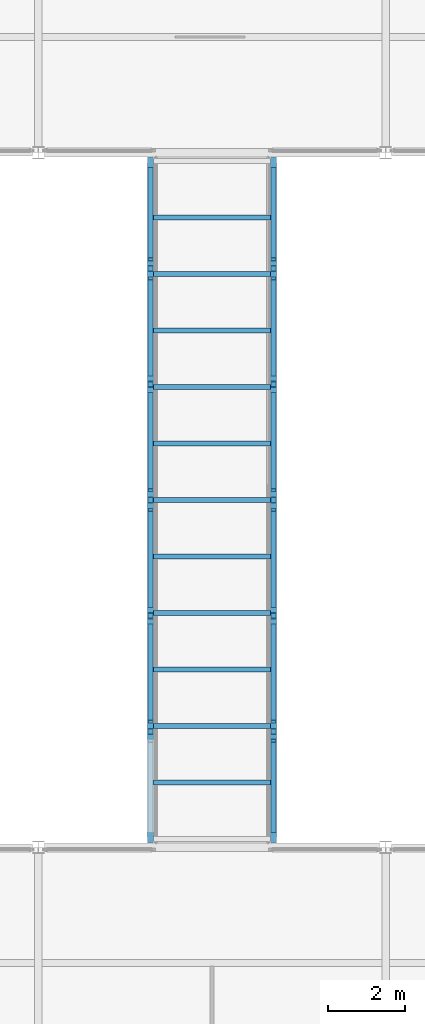
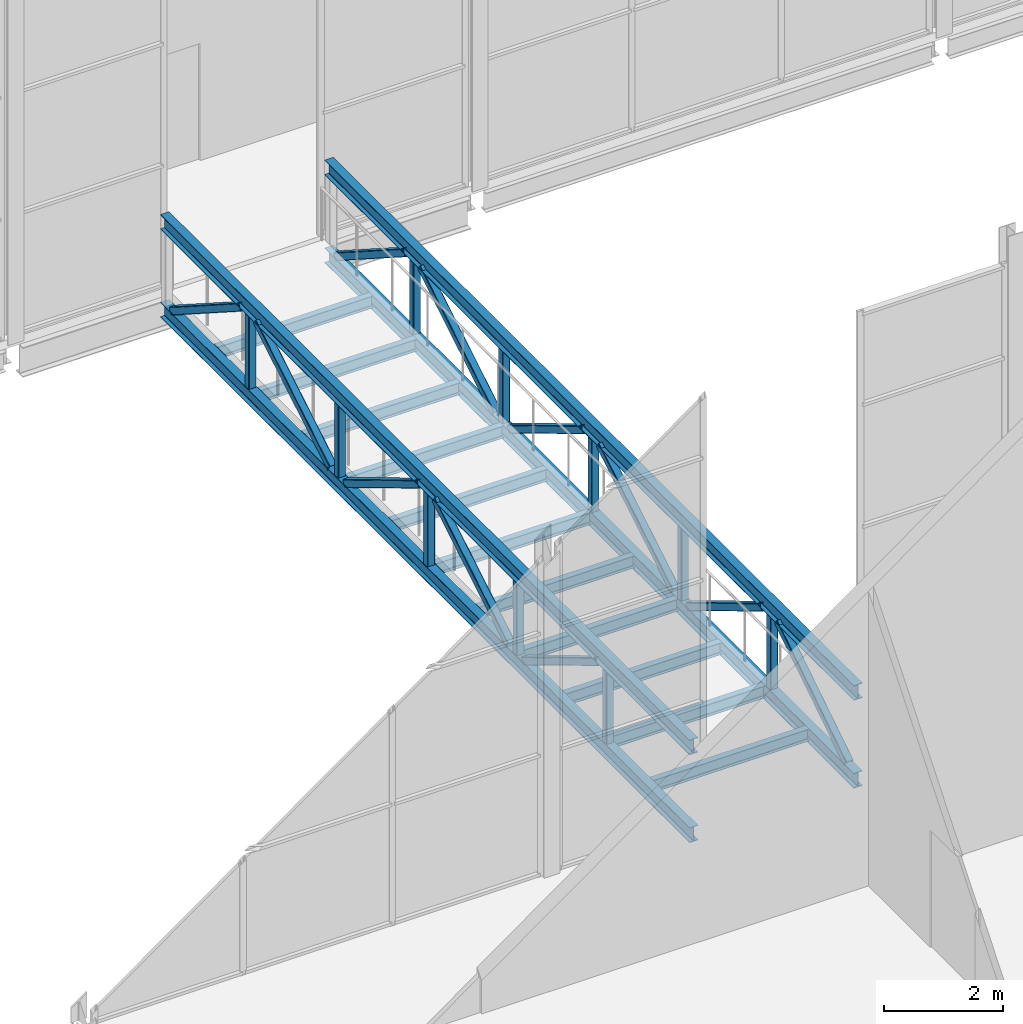
# One storey, part 37 of 111: 21 members, 15 beams.
"""IFC4 building model written with IfcOpenShell, lengths in metres."""

from ifc_helpers import new_model, si_unit, direction, frame, origin, origin_2d, place, context, subcontext, project, spatial, hollow_rectangle, i_section, extrude, material, material_profile, profile_set, type_object, element, save


model = new_model("IFC4")

# Units and contexts
model_context = context("Model", 3, precision=1e-05, world=origin(), true_north=direction((0.0, 1.0)))
body_context = subcontext(model_context, "Body", "Model", "MODEL_VIEW")
ifc_project = project(units=[si_unit("LENGTHUNIT", "METRE"), si_unit("AREAUNIT", "SQUARE_METRE"), si_unit("VOLUMEUNIT", "CUBIC_METRE"), si_unit("PLANEANGLEUNIT", "RADIAN"), si_unit("MASSUNIT", "GRAM", prefix="KILO")], contexts=[model_context])

# Site, building, storey
site_placement = place(None, origin())
site = spatial("IfcSite", under=ifc_project, at=site_placement, CompositionType="ELEMENT")
building_placement = place(site_placement, origin())
building = spatial("IfcBuilding", under=site, at=building_placement, Name="Shorebreak Coast Museum", CompositionType="ELEMENT")
storey_placement = place(building_placement, frame((0.0, 0.0, 16.0)))
storey = spatial("IfcBuildingStorey", under=building, at=storey_placement, Name="L03", CompositionType="ELEMENT", Elevation=16.0)

# Beams
ifc_material_1 = material(Name="Steel Grade 300", Category="steel")
ifc_material_profile_1 = material_profile(ifc_material_1, i_section(OverallWidth=0.1240234375, OverallDepth=0.248046875, WebThickness=0.0048828125, FlangeThickness=0.008056640625, FilletRadius=0.011962890625, at=origin_2d()), Name="250UB25.7")
ifc_profile_set_1 = profile_set([ifc_material_profile_1], Name="Steel Grade 300")
beam_type_1 = type_object("IfcBeamType", Name="Atrium bridge cross beam 250UB25.7", PredefinedType="BEAM", material=ifc_profile_set_1)
for number, where, z_axis, x_axis, name in (
    (1, (87.010009765625, 64.6787109375, -0.299072265625), (-1.0, 0.0, 0.0), (0.0, -1.0, 0.0), "Atrium bridge cross beam BR2 02"),
    (2, (87.010009765625, 66.14306640625, -0.299072265625), (-1.0, 0.0, 0.0), (0.0, -1.0, 0.0), "Atrium bridge cross beam BR2 03"),
    (3, (87.010009765625, 67.607177734375, -0.299072265625), (-1.0, 0.0, 0.0), (0.0, -1.0, 0.0), "Atrium bridge cross beam BR2 04"),
    (4, (87.010009765625, 69.071533203125, -0.299072265625), (-1.0, 0.0, 0.0), (0.0, -1.0, 0.0), "Atrium bridge cross beam BR2 05"),
    (5, (87.010009765625, 70.53564453125, -0.299072265625), (-1.0, 0.0, 0.0), (0.0, -1.0, 0.0), "Atrium bridge cross beam BR2 06"),
    (6, (87.010009765625, 72.0, -0.299072265625), (-1.0, 0.0, 0.0), (0.0, -1.0, 0.0), "Atrium bridge cross beam BR2 07"),
    (7, (87.010009765625, 73.46435546875, -0.299072265625), (-1.0, 0.0, 0.0), (0.0, -1.0, 0.0), "Atrium bridge cross beam BR2 08"),
    (8, (87.010009765625, 74.928466796875, -0.299072265625), (-1.0, 0.0, 0.0), (0.0, -1.0, 0.0), "Atrium bridge cross beam BR2 09"),
    (9, (87.010009765625, 76.392822265625, -0.299072265625), (-1.0, 0.0, 0.0), (0.0, -1.0, 0.0), "Atrium bridge cross beam BR2 10"),
    (10, (87.010009765625, 77.85693359375, -0.299072265625), (-1.0, 0.0, 0.0), (0.0, -1.0, 0.0), "Atrium bridge cross beam BR2 11"),
    (11, (87.010009765625, 79.3212890625, -0.299072265625), (-1.0, 0.0, 0.0), (0.0, -1.0, 0.0), "Atrium bridge cross beam BR2 12"),
):
    element("IfcBeam", number, at=place(storey_placement, frame(where, z_axis=z_axis, x_axis=x_axis)), inside=storey, type_object=beam_type_1, Name=name, PredefinedType="BEAM", context=body_context, shape_type="SweptSolid", body=[
        extrude(i_section(OverallWidth=0.1240234375, OverallDepth=0.248046875, WebThickness=0.0048828125, FlangeThickness=0.008056640625, FilletRadius=0.011962890625, at=origin_2d()), origin(), (0.0, 0.0, 1.0), 3.02001953125),
    ])
ifc_material_2 = material(Name="Steel Grade 300", Category="steel")
ifc_material_profile_2 = material_profile(ifc_material_2, i_section(OverallWidth=0.166015625, OverallDepth=0.30712890625, WebThickness=0.006591796875, FlangeThickness=0.01171875, FilletRadius=0.011474609375, at=origin_2d()), Name="310UB46.2")
ifc_profile_set_2 = profile_set([ifc_material_profile_2], Name="Steel Grade 300")
beam_type_2 = type_object("IfcBeamType", Name="Atrium bridge truss chord 310UB46.2", PredefinedType="BEAM", material=ifc_profile_set_2)
for number, where, z_axis, x_axis, name in (
    (12, (87.093017578125, 63.114501953125, -0.32861328125), (0.0, 1.0, 0.0), (-1.0, 0.0, 0.0), "Atrium bridge truss BR2 side A chord C01"),
    (13, (87.093017578125, 63.114501953125, 1.471435546875), (0.0, 1.0, 0.0), (-1.0, 0.0, 0.0), "Atrium bridge truss BR2 side A chord C02"),
    (14, (83.906982421875, 63.114501953125, -0.32861328125), (0.0, 1.0, 0.0), (-1.0, 0.0, 0.0), "Atrium bridge truss BR2 side B chord C01"),
    (15, (83.906982421875, 63.114501953125, 1.471435546875), (0.0, 1.0, 0.0), (-1.0, 0.0, 0.0), "Atrium bridge truss BR2 side B chord C02"),
):
    element("IfcBeam", number, at=place(storey_placement, frame(where, z_axis=z_axis, x_axis=x_axis)), inside=storey, type_object=beam_type_2, Name=name, PredefinedType="BEAM", context=body_context, shape_type="SweptSolid", body=[
        extrude(i_section(OverallWidth=0.166015625, OverallDepth=0.30712890625, WebThickness=0.006591796875, FlangeThickness=0.01171875, FilletRadius=0.011474609375, at=origin_2d()), origin(), (0.0, 0.0, 1.0), 17.77099609375),
    ])

# Members
ifc_material_3 = material(Name="Steel Grade C450L0", Category="steel")
ifc_material_profile_3 = material_profile(ifc_material_3, hollow_rectangle(XDim=0.14990234375, YDim=0.14990234375, WallThickness=0.009033203125, InnerFilletRadius=0.013427734375, OuterFilletRadius=0.0224609375, at=origin_2d()), Name="150x150x9.0 SHS")
ifc_profile_set_3 = profile_set([ifc_material_profile_3], Name="Steel Grade C450L0")
member_type_1 = type_object("IfcMemberType", Name="Atrium bridge truss diagonal 150x150x9.0 SHS", PredefinedType="BRACE", material=ifc_profile_set_3)
member_1_placement = place(storey_placement, frame((87.093017578125, 63.42919921875, -0.175048828125), z_axis=(0.0, 0.84209997061, 0.539321462116), x_axis=(-1.0, 0.0, 0.0)))
element("IfcMember", 16, at=member_1_placement, inside=storey, type_object=member_type_1, Name="Atrium bridge truss BR2 side A diagonal D01", PredefinedType="BRACE", context=body_context, shape_type="SweptSolid", body=[
    extrude(hollow_rectangle(XDim=0.14990234375, YDim=0.14990234375, WallThickness=0.009033203125, InnerFilletRadius=0.013427734375, OuterFilletRadius=0.0224609375, at=origin_2d()), origin(), (0.0, 0.0, 1.0), 2.76806640625),
])
for number, where, z_axis, x_axis, name in (
    (17, (87.093017578125, 68.743896484375, -0.175048828125), (0.0, -0.857455799896, 0.514557626729), (1.0, 0.0, 0.0), "Atrium bridge truss BR2 side A diagonal D02"),
    (18, (87.093017578125, 69.256103515625, -0.175048828125), (0.0, 0.857455799896, 0.514557626729), (-1.0, 0.0, 0.0), "Atrium bridge truss BR2 side A diagonal D03"),
    (19, (87.093017578125, 74.743896484375, -0.175048828125), (0.0, -0.857455799896, 0.514557626729), (1.0, 0.0, 0.0), "Atrium bridge truss BR2 side A diagonal D04"),
    (20, (87.093017578125, 75.256103515625, -0.175048828125), (0.0, 0.857455799896, 0.514557626729), (-1.0, 0.0, 0.0), "Atrium bridge truss BR2 side A diagonal D05"),
):
    element("IfcMember", number, at=place(storey_placement, frame(where, z_axis=z_axis, x_axis=x_axis)), inside=storey, type_object=member_type_1, Name=name, PredefinedType="BRACE", context=body_context, shape_type="SweptSolid", body=[
        extrude(hollow_rectangle(XDim=0.14990234375, YDim=0.14990234375, WallThickness=0.009033203125, InnerFilletRadius=0.013427734375, OuterFilletRadius=0.0224609375, at=origin_2d()), origin(), (0.0, 0.0, 1.0), 2.9013671875),
    ])
member_2_placement = place(storey_placement, frame((87.093017578125, 80.57080078125, -0.175048828125), z_axis=(0.0, -0.84209997061, 0.539321462116), x_axis=(1.0, 0.0, 0.0)))
element("IfcMember", 21, at=member_2_placement, inside=storey, type_object=member_type_1, Name="Atrium bridge truss BR2 side A diagonal D06", PredefinedType="BRACE", context=body_context, shape_type="SweptSolid", body=[
    extrude(hollow_rectangle(XDim=0.14990234375, YDim=0.14990234375, WallThickness=0.009033203125, InnerFilletRadius=0.013427734375, OuterFilletRadius=0.0224609375, at=origin_2d()), origin(), (0.0, 0.0, 1.0), 2.76806640625),
])
for number, where, z_axis, x_axis, name in (
    (22, (83.906982421875, 68.743896484375, -0.175048828125), (0.0, -0.857455799896, 0.514557626729), (1.0, 0.0, 0.0), "Atrium bridge truss BR2 side B diagonal D02"),
    (23, (83.906982421875, 69.256103515625, -0.175048828125), (0.0, 0.857455799896, 0.514557626729), (-1.0, 0.0, 0.0), "Atrium bridge truss BR2 side B diagonal D03"),
    (24, (83.906982421875, 74.743896484375, -0.175048828125), (0.0, -0.857455799896, 0.514557626729), (1.0, 0.0, 0.0), "Atrium bridge truss BR2 side B diagonal D04"),
    (25, (83.906982421875, 75.256103515625, -0.175048828125), (0.0, 0.857455799896, 0.514557626729), (-1.0, 0.0, 0.0), "Atrium bridge truss BR2 side B diagonal D05"),
):
    element("IfcMember", number, at=place(storey_placement, frame(where, z_axis=z_axis, x_axis=x_axis)), inside=storey, type_object=member_type_1, Name=name, PredefinedType="BRACE", context=body_context, shape_type="SweptSolid", body=[
        extrude(hollow_rectangle(XDim=0.14990234375, YDim=0.14990234375, WallThickness=0.009033203125, InnerFilletRadius=0.013427734375, OuterFilletRadius=0.0224609375, at=origin_2d()), origin(), (0.0, 0.0, 1.0), 2.9013671875),
    ])
member_3_placement = place(storey_placement, frame((83.906982421875, 80.57080078125, -0.175048828125), z_axis=(0.0, -0.84209997061, 0.539321462116), x_axis=(1.0, 0.0, 0.0)))
element("IfcMember", 26, at=member_3_placement, inside=storey, type_object=member_type_1, Name="Atrium bridge truss BR2 side B diagonal D06", PredefinedType="BRACE", context=body_context, shape_type="SweptSolid", body=[
    extrude(hollow_rectangle(XDim=0.14990234375, YDim=0.14990234375, WallThickness=0.009033203125, InnerFilletRadius=0.013427734375, OuterFilletRadius=0.0224609375, at=origin_2d()), origin(), (0.0, 0.0, 1.0), 2.76806640625),
])
ifc_material_4 = material(Name="Steel Grade C450L0", Category="steel")
ifc_material_profile_4 = material_profile(ifc_material_4, hollow_rectangle(XDim=0.14990234375, YDim=0.14990234375, WallThickness=0.009033203125, InnerFilletRadius=0.013427734375, OuterFilletRadius=0.0224609375, at=origin_2d()), Name="150x150x9.0 SHS")
ifc_profile_set_4 = profile_set([ifc_material_profile_4], Name="Steel Grade C450L0")
member_type_2 = type_object("IfcMemberType", Name="Atrium bridge truss strut 150x150x9.0 SHS", PredefinedType="STRUT", material=ifc_profile_set_4)
for number, where, z_axis, x_axis, name in (
    (27, (87.093017578125, 66.0, -0.175048828125), (0.0, 0.0, 1.0), (1.0, 0.0, 0.0), "Atrium bridge truss BR2 side A strut V02"),
    (28, (87.093017578125, 69.0, -0.175048828125), (0.0, 0.0, 1.0), (1.0, 0.0, 0.0), "Atrium bridge truss BR2 side A strut V03"),
    (29, (87.093017578125, 72.0, -0.175048828125), (0.0, 0.0, 1.0), (1.0, 0.0, 0.0), "Atrium bridge truss BR2 side A strut V04"),
    (30, (87.093017578125, 75.0, -0.175048828125), (0.0, 0.0, 1.0), (1.0, 0.0, 0.0), "Atrium bridge truss BR2 side A strut V05"),
    (31, (87.093017578125, 78.0, -0.175048828125), (0.0, 0.0, 1.0), (1.0, 0.0, 0.0), "Atrium bridge truss BR2 side A strut V06"),
    (32, (83.906982421875, 66.0, -0.175048828125), (0.0, 0.0, 1.0), (1.0, 0.0, 0.0), "Atrium bridge truss BR2 side B strut V02"),
    (33, (83.906982421875, 69.0, -0.175048828125), (0.0, 0.0, 1.0), (1.0, 0.0, 0.0), "Atrium bridge truss BR2 side B strut V03"),
    (34, (83.906982421875, 72.0, -0.175048828125), (0.0, 0.0, 1.0), (1.0, 0.0, 0.0), "Atrium bridge truss BR2 side B strut V04"),
    (35, (83.906982421875, 75.0, -0.175048828125), (0.0, 0.0, 1.0), (1.0, 0.0, 0.0), "Atrium bridge truss BR2 side B strut V05"),
    (36, (83.906982421875, 78.0, -0.175048828125), (0.0, 0.0, 1.0), (1.0, 0.0, 0.0), "Atrium bridge truss BR2 side B strut V06"),
):
    element("IfcMember", number, at=place(storey_placement, frame(where, z_axis=z_axis, x_axis=x_axis)), inside=storey, type_object=member_type_2, Name=name, PredefinedType="STRUT", context=body_context, shape_type="SweptSolid", body=[
        extrude(hollow_rectangle(XDim=0.14990234375, YDim=0.14990234375, WallThickness=0.009033203125, InnerFilletRadius=0.013427734375, OuterFilletRadius=0.0224609375, at=origin_2d()), origin(), (0.0, 0.0, 1.0), 1.492919921875),
    ])

save(model, "model.ifc")
